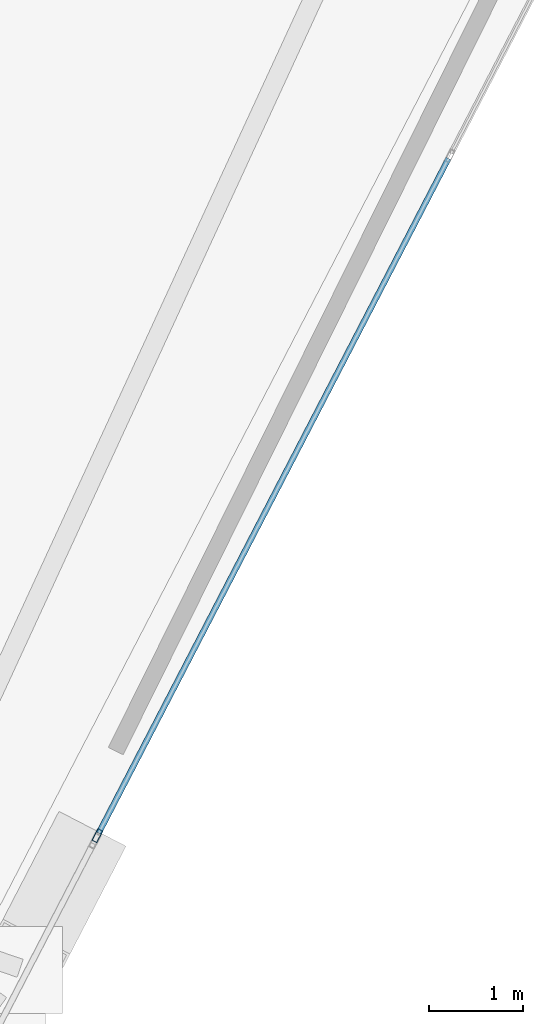
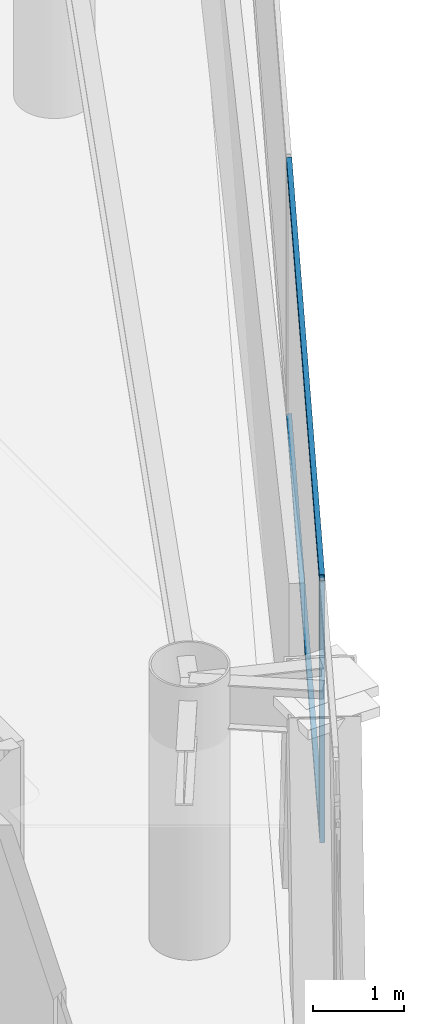
# One storey, part 12 of 21: 3 members, 1 element without a shape of its own.
"""IFC4 building model written with IfcOpenShell, lengths in metres."""

from ifc_helpers import new_model, si_unit, direction, frame, origin, origin_2d, place, context, subcontext, project, spatial, hollow_rectangle, extrude, material, layer, layer_set, material_profile, profile_set, type_object, element, aggregate, save


model = new_model("IFC4")

# Units and contexts
model_context = context("Model", 3, precision=1e-05, world=origin(), true_north=direction((0.0, 1.0)))
body_context = subcontext(model_context, "Body", "Model", "MODEL_VIEW")
ifc_project = project(units=[si_unit("LENGTHUNIT", "METRE"), si_unit("AREAUNIT", "SQUARE_METRE"), si_unit("VOLUMEUNIT", "CUBIC_METRE"), si_unit("PLANEANGLEUNIT", "RADIAN"), si_unit("MASSUNIT", "GRAM", prefix="KILO")], contexts=[model_context])

# Site, building, storey
site_placement = place(None, origin())
site = spatial("IfcSite", under=ifc_project, at=site_placement, CompositionType="ELEMENT")
building_placement = place(site_placement, origin())
building = spatial("IfcBuilding", under=site, at=building_placement, Name="Qianvela Tower", CompositionType="ELEMENT")
storey_placement = place(building_placement, frame((0.0, 0.0, 310.199951171875)))
storey = spatial("IfcBuildingStorey", under=building, at=storey_placement, Name="L80", CompositionType="ELEMENT", Elevation=310.199951171875)

# Curtain wall, members
ifc_material_1 = material(Name="Anodised Architectural Aluminium and Low-E Glass", Category="aluminium")
ifc_layer = layer(ifc_material_1, 0.14990234375)
ifc_layer_set = layer_set([ifc_layer], Name="Anodised Architectural Aluminium and Low-E Glass")
curtain_wall_type = type_object("IfcCurtainWallType", Name="CW-COLIV-Z78", PredefinedType="USERDEFINED", material=ifc_layer_set)
curtain_wall_placement = place(storey_placement, origin())
curtain_wall = element("IfcCurtainWall", 1, at=curtain_wall_placement, inside=storey, type_object=curtain_wall_type, Name="L80 CW-COLIV-Z78 Curtain Wall 06C", ObjectType="CURTAIN_WALL_SYSTEM", PredefinedType="USERDEFINED")
ifc_material_2 = material(Name="Anodised Architectural Aluminium 6063-T6", Category="aluminium")
ifc_material_profile_1 = material_profile(ifc_material_2, hollow_rectangle(XDim=0.06005859375, YDim=0.139892578125, WallThickness=0.00439453125, at=origin_2d()), Name="ALU-MULL-60x140")
ifc_profile_set_1 = profile_set([ifc_material_profile_1], Name="Anodised Architectural Aluminium 6063-T6")
member_type_1 = type_object("IfcMemberType", Name="CW-COLIV-Z78-MULL", PredefinedType="MULLION", material=ifc_profile_set_1)
member_1_placement = place(storey_placement, frame((48.058837890625, 23.26806640625, 0.0), z_axis=(0.0, 0.0, 1.0), x_axis=(-0.887758715367, 0.46030909538, 0.0)))
member_1 = element("IfcMember", 2, at=member_1_placement, type_object=member_type_1, Name="CW-6 mullion 1", PredefinedType="MULLION", context=body_context, shape_type="SweptSolid", body=[
    extrude(hollow_rectangle(XDim=0.06005859375, YDim=0.139892578125, WallThickness=0.00439453125, at=origin_2d()), origin(), (0.0, 0.0, 1.0), 3.52001953125),
])
ifc_material_3 = material(Name="Anodised Architectural Aluminium 6063-T6", Category="aluminium")
ifc_material_profile_2 = material_profile(ifc_material_3, hollow_rectangle(XDim=0.06005859375, YDim=0.114990234375, WallThickness=0.00390625, at=origin_2d()), Name="ALU-TRAN-60x115")
ifc_profile_set_2 = profile_set([ifc_material_profile_2], Name="Anodised Architectural Aluminium 6063-T6")
member_type_2 = type_object("IfcMemberType", Name="CW-COLIV-Z78-TRAN", PredefinedType="USERDEFINED", material=ifc_profile_set_2)
member_2_placement = place(storey_placement, frame((48.07275390625, 23.294677734375, 0.030029296875), z_axis=(0.460304769647, 0.887760958277, 0.0), x_axis=(-0.887760958277, 0.460304769647, 0.0)))
member_2 = element("IfcMember", 3, at=member_2_placement, type_object=member_type_2, Name="CW-6 transom 1.1", ObjectType="TRANSOM", PredefinedType="USERDEFINED", context=body_context, shape_type="SweptSolid", body=[
    extrude(hollow_rectangle(XDim=0.06005859375, YDim=0.114990234375, WallThickness=0.00390625, at=origin_2d()), origin(), (0.0, 0.0, 1.0), 8.049072265625),
])
member_3_placement = place(storey_placement, frame((48.07275390625, 23.294677734375, 3.489990234375), z_axis=(0.460304769647, 0.887760958277, 0.0), x_axis=(-0.887760958277, 0.460304769647, 0.0)))
member_3 = element("IfcMember", 4, at=member_3_placement, type_object=member_type_2, Name="CW-6 transom 1.2", ObjectType="TRANSOM", PredefinedType="USERDEFINED", context=body_context, shape_type="SweptSolid", body=[
    extrude(hollow_rectangle(XDim=0.06005859375, YDim=0.114990234375, WallThickness=0.00390625, at=origin_2d()), origin(), (0.0, 0.0, 1.0), 8.049072265625),
])
aggregate(curtain_wall, [member_1, member_2, member_3])

save(model, "model.ifc")
